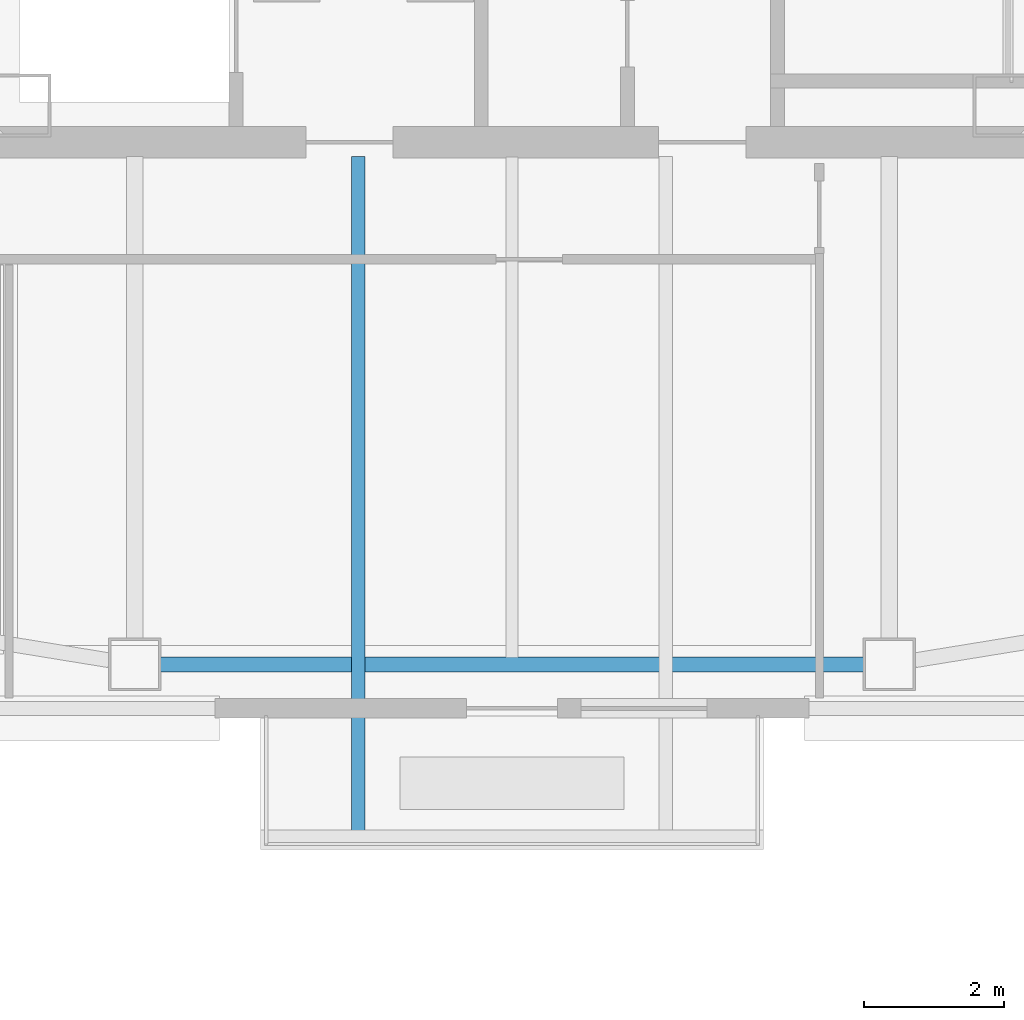
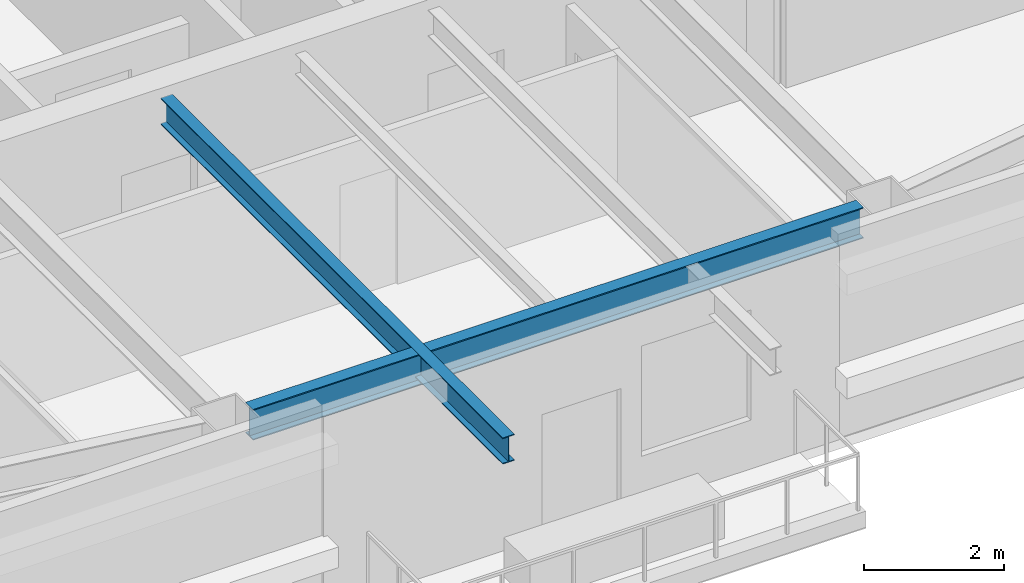
# One storey, part 4 of 36: 2 beams.
"""IFC4 building model written with IfcOpenShell, lengths in metres."""

from ifc_helpers import new_model, si_unit, direction, frame, origin, origin_2d, place, context, subcontext, project, spatial, i_section, extrude, material, material_profile, profile_set, type_object, element, save


model = new_model("IFC4")

# Units and contexts
model_context = context("Model", 3, precision=1e-05, world=origin(), true_north=direction((0.0, 1.0)))
body_context = subcontext(model_context, "Body", "Model", "MODEL_VIEW")
ifc_project = project(units=[si_unit("LENGTHUNIT", "METRE"), si_unit("AREAUNIT", "SQUARE_METRE"), si_unit("VOLUMEUNIT", "CUBIC_METRE"), si_unit("PLANEANGLEUNIT", "RADIAN"), si_unit("MASSUNIT", "GRAM", prefix="KILO")], contexts=[model_context])

# Site, building, storey
site_placement = place(None, origin())
site = spatial("IfcSite", under=ifc_project, at=site_placement, CompositionType="ELEMENT")
building_placement = place(site_placement, origin())
building = spatial("IfcBuilding", under=site, at=building_placement, Name="Tashvorn Skyway Center", CompositionType="ELEMENT")
storey_placement = place(building_placement, frame((0.0, 0.0, 236.14990234375)))
storey = spatial("IfcBuildingStorey", under=building, at=storey_placement, Name="L64", CompositionType="ELEMENT", Elevation=236.14990234375)

# Beams
ifc_material = material(Name="Steel ASTM A992 Grade 50", Category="steel")
ifc_material_profile_1 = material_profile(ifc_material, i_section(OverallWidth=0.19091796875, OverallDepth=0.4599609375, WebThickness=0.010009765625, FlangeThickness=0.01611328125, at=origin_2d()), Name="W18X55")
ifc_profile_set_1 = profile_set([ifc_material_profile_1], Name="Steel ASTM A992 Grade 50")
beam_type_1 = type_object("IfcBeamType", Name="BM-JOIST-W18X55", PredefinedType="JOIST", material=ifc_profile_set_1)
beam_1_placement = place(storey_placement, frame((39.800048828125, 24.219970703125, 3.14013671875), z_axis=(0.0, -1.0, 0.0), x_axis=(1.0, 0.0, 0.0)))
element("IfcBeam", 1, at=beam_1_placement, inside=storey, type_object=beam_type_1, Name="Tower 1 L65 Terrace Cantilever Outlooker 1", PredefinedType="JOIST", context=body_context, shape_type="SweptSolid", body=[
    extrude(i_section(OverallWidth=0.19091796875, OverallDepth=0.4599609375, WebThickness=0.010009765625, FlangeThickness=0.01611328125, at=origin_2d()), origin(), (0.0, 0.0, 1.0), 9.77001953125),
])
ifc_material_profile_2 = material_profile(ifc_material, i_section(OverallWidth=0.2109375, OverallDepth=0.5390625, WebThickness=0.01171875, FlangeThickness=0.018798828125, at=origin_2d()), Name="W21X73")
ifc_profile_set_2 = profile_set([ifc_material_profile_2], Name="Steel ASTM A992 Grade 50")
beam_type_2 = type_object("IfcBeamType", Name="BM-SPANDREL-W21X73", PredefinedType="SPANDREL", material=ifc_profile_set_2)
beam_2_placement = place(storey_placement, frame((36.969970703125, 16.949951171875, 3.1005859375), z_axis=(1.0, 0.0, 0.0), x_axis=(0.0, 1.0, 0.0)))
element("IfcBeam", 2, at=beam_2_placement, inside=storey, type_object=beam_type_2, Name="Tower 1 L64 Spandrel Beam 02", PredefinedType="SPANDREL", context=body_context, shape_type="SweptSolid", body=[
    extrude(i_section(OverallWidth=0.2109375, OverallDepth=0.5390625, WebThickness=0.01171875, FlangeThickness=0.018798828125, at=origin_2d()), origin(), (0.0, 0.0, 1.0), 10.06005859375),
])

save(model, "model.ifc")
